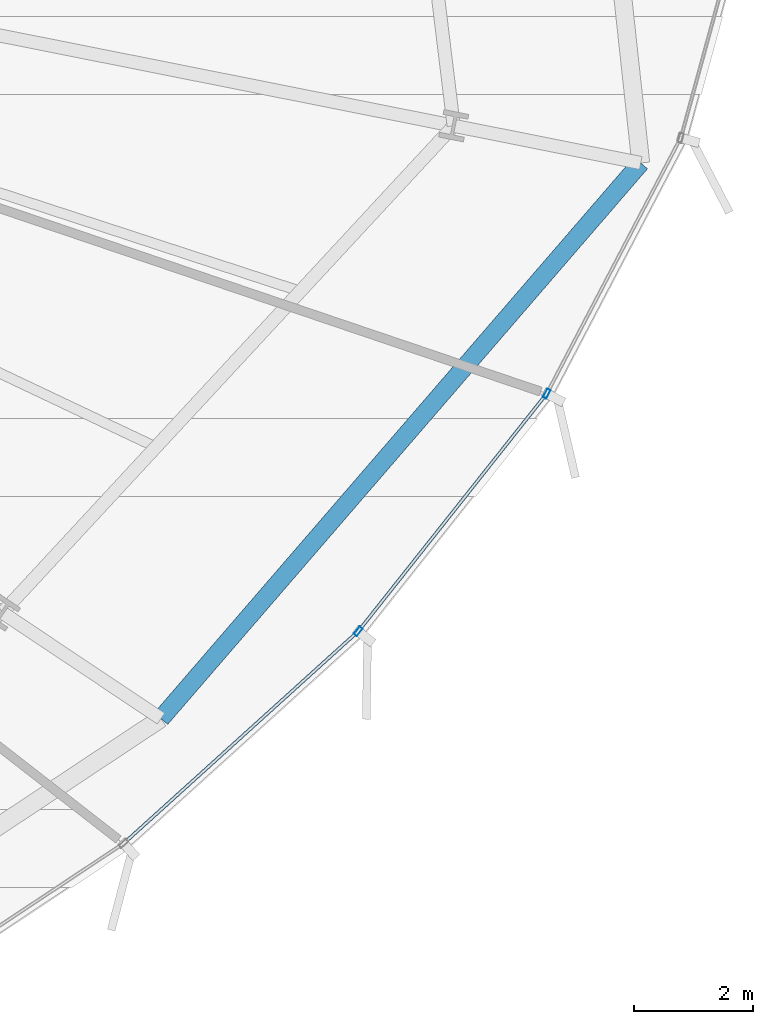
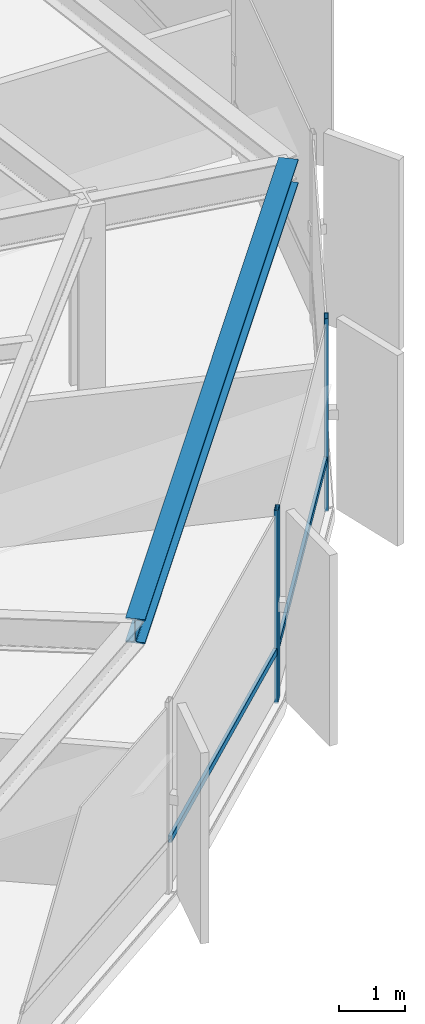
# One storey, part 14 of 38: 4 members, 1 beam, 1 element without a shape of its own.
"""IFC4 building model written with IfcOpenShell, lengths in metres."""

from ifc_helpers import new_model, si_unit, direction, frame, origin, origin_2d, place, context, subcontext, project, spatial, hollow_rectangle, i_section, extrude, source, transform, mapped, material, layer, layer_set, material_profile, profile_set, type_object, element, aggregate, save


model = new_model("IFC4")

# Units and contexts
model_context = context("Model", 3, precision=1e-05, world=origin(), true_north=direction((0.0, 1.0)))
body_context = subcontext(model_context, "Body", "Model", "MODEL_VIEW")
ifc_project = project(units=[si_unit("LENGTHUNIT", "METRE"), si_unit("AREAUNIT", "SQUARE_METRE"), si_unit("VOLUMEUNIT", "CUBIC_METRE"), si_unit("PLANEANGLEUNIT", "RADIAN"), si_unit("MASSUNIT", "GRAM", prefix="KILO"), si_unit("THERMODYNAMICTEMPERATUREUNIT", "KELVIN")], contexts=[model_context])

# Site, building, storey
site_placement = place(None, origin())
site = spatial("IfcSite", under=ifc_project, at=site_placement, CompositionType="ELEMENT")
building_placement = place(site_placement, origin())
building = spatial("IfcBuilding", under=site, at=building_placement, Name="Kethvar Cultural Tower", CompositionType="ELEMENT")
storey_placement = place(building_placement, frame((0.0, 0.0, 52.39990234375)))
storey = spatial("IfcBuildingStorey", under=building, at=storey_placement, Name="L12", CompositionType="ELEMENT", Elevation=52.39990234375)

# Beam
ifc_material_1 = material(Name="Steel S355J2", Category="steel")
ifc_material_profile_1 = material_profile(ifc_material_1, i_section(OverallWidth=0.300048828125, OverallDepth=0.449951171875, WebThickness=0.013916015625, FlangeThickness=0.02587890625, FilletRadius=0.027099609375, at=origin_2d()), Name="Steel S355J2 — HEB450")
ifc_profile_set_1 = profile_set([ifc_material_profile_1], Name="Steel S355J2 — HEB450")
beam_type = type_object("IfcBeamType", Name="BM-SP450", PredefinedType="SPANDREL", material=ifc_profile_set_1)
shared_shape_1 = source(origin(), body_context, "Body", "SweptSolid", [
    extrude(i_section(OverallWidth=0.300048828125, OverallDepth=0.449951171875, WebThickness=0.013916015625, FlangeThickness=0.02587890625, FilletRadius=0.027099609375, at=origin_2d()), origin(), (0.0, 0.0, 1.0), 12.3173828125),
])
beam_placement = place(storey_placement, frame((70.0791015625, 12.24560546875, 3.322998046875), z_axis=(0.653586327045, 0.756851975686, 0.0), x_axis=(-0.756851975686, 0.653586327045, 0.0)))
element("IfcBeam", 1, at=beam_placement, inside=storey, type_object=beam_type, Name="L12 Perimeter Spandrel Beam SP-15", PredefinedType="SPANDREL", context=body_context, shape_type="MappedRepresentation", body=[
    mapped(shared_shape_1, transform((0.0, 0.0, 0.0), scale=1.0)),
])

# Curtain wall, members
ifc_material_2 = material(Name="Aluminium 6063-T6", Category="aluminium")
ifc_layer = layer(ifc_material_2, 0.179931640625, Name="Aluminium 6063-T6", Category="aluminium")
ifc_layer_set = layer_set([ifc_layer], Name="Aluminium 6063-T6 (180 mm)")
curtain_wall_type = type_object("IfcCurtainWallType", Name="CW-SYS-02-Z1", PredefinedType="NOTDEFINED", material=ifc_layer_set)
curtain_wall_placement = place(storey_placement, origin())
curtain_wall = element("IfcCurtainWall", 2, at=curtain_wall_placement, inside=storey, type_object=curtain_wall_type, Name="L12 Curtain Wall Run 06", PredefinedType="NOTDEFINED")
ifc_material_profile_2 = material_profile(ifc_material_2, hollow_rectangle(XDim=0.06494140625, YDim=0.159912109375, WallThickness=0.0048828125, at=origin_2d()), Name="Aluminium 6063-T6 — RHS160x65x5")
ifc_profile_set_2 = profile_set([ifc_material_profile_2], Name="Aluminium 6063-T6 — RHS160x65x5")
member_type_1 = type_object("IfcMemberType", Name="CW-SYS-02-Z1-MUL", PredefinedType="MULLION", material=ifc_profile_set_2)
shared_shape_2 = source(origin(), body_context, "Body", "SweptSolid", [
    extrude(hollow_rectangle(XDim=0.06494140625, YDim=0.159912109375, WallThickness=0.0048828125, at=origin_2d()), origin(), (0.0, 0.0, 1.0), 3.550048828125),
])
member_1_placement = place(storey_placement, frame((73.389404296875, 13.70849609375, 0.0), z_axis=(0.0, 0.0, 1.0), x_axis=(-0.783671774701, 0.621175135962, 0.0)))
member_1 = element("IfcMember", 3, at=member_1_placement, type_object=member_type_1, Name="CW-L12-R06 Mullion 3", PredefinedType="MULLION", context=body_context, shape_type="MappedRepresentation", body=[
    mapped(shared_shape_2, transform((0.0, 0.0, 0.0), scale=1.0)),
])
member_2_placement = place(storey_placement, frame((76.5537109375, 17.697021484375, 0.0), z_axis=(0.0, 0.0, 1.0), x_axis=(-0.885985157728, 0.463713597261, 0.0)))
member_2 = element("IfcMember", 4, at=member_2_placement, type_object=member_type_1, Name="CW-L12-R06 Mullion 4", PredefinedType="MULLION", context=body_context, shape_type="MappedRepresentation", body=[
    mapped(shared_shape_2, transform((0.0, 0.0, 0.0), scale=1.0)),
])
ifc_material_profile_3 = material_profile(ifc_material_2, hollow_rectangle(XDim=0.054931640625, YDim=0.1201171875, WallThickness=0.00390625, at=origin_2d()), Name="Aluminium 6063-T6 — RHS120x55x4")
ifc_profile_set_3 = profile_set([ifc_material_profile_3], Name="Aluminium 6063-T6 — RHS120x55x4")
member_type_2 = type_object("IfcMemberType", Name="CW-SYS-02-Z1-TRN", PredefinedType="USERDEFINED", material=ifc_profile_set_3)
shared_shape_3 = source(origin(), body_context, "Body", "SweptSolid", [
    extrude(hollow_rectangle(XDim=0.054931640625, YDim=0.1201171875, WallThickness=0.00390625, at=origin_2d()), origin(), (0.0, 0.0, 1.0), 5.02001953125),
])
member_3_placement = place(storey_placement, frame((73.41845703125, 13.7451171875, 0.9501953125), z_axis=(0.621183651562, 0.78366502476, 0.0), x_axis=(-0.78366502476, 0.621183651562, 0.0)))
member_3 = element("IfcMember", 5, at=member_3_placement, type_object=member_type_2, Name="CW-L12-R06 Transom 3", ObjectType="TRANSOM", PredefinedType="USERDEFINED", context=body_context, shape_type="MappedRepresentation", body=[
    mapped(shared_shape_3, transform((0.0, 0.0, 0.0), scale=1.0)),
])
shared_shape_4 = source(origin(), body_context, "Body", "SweptSolid", [
    extrude(hollow_rectangle(XDim=0.054931640625, YDim=0.1201171875, WallThickness=0.00390625, at=origin_2d()), origin(), (0.0, 0.0, 1.0), 5.233154296875),
])
member_4_placement = place(storey_placement, frame((69.4873046875, 10.180908203125, 0.9501953125), z_axis=(0.741607616956, 0.670833915715, 0.0), x_axis=(-0.670833915715, 0.741607616956, 0.0)))
member_4 = element("IfcMember", 6, at=member_4_placement, type_object=member_type_2, Name="CW-L12-R06 Transom 2", ObjectType="TRANSOM", PredefinedType="USERDEFINED", context=body_context, shape_type="MappedRepresentation", body=[
    mapped(shared_shape_4, transform((0.0, 0.0, 0.0), scale=1.0)),
])
aggregate(curtain_wall, [member_1, member_2, member_4, member_3])

save(model, "model.ifc")
